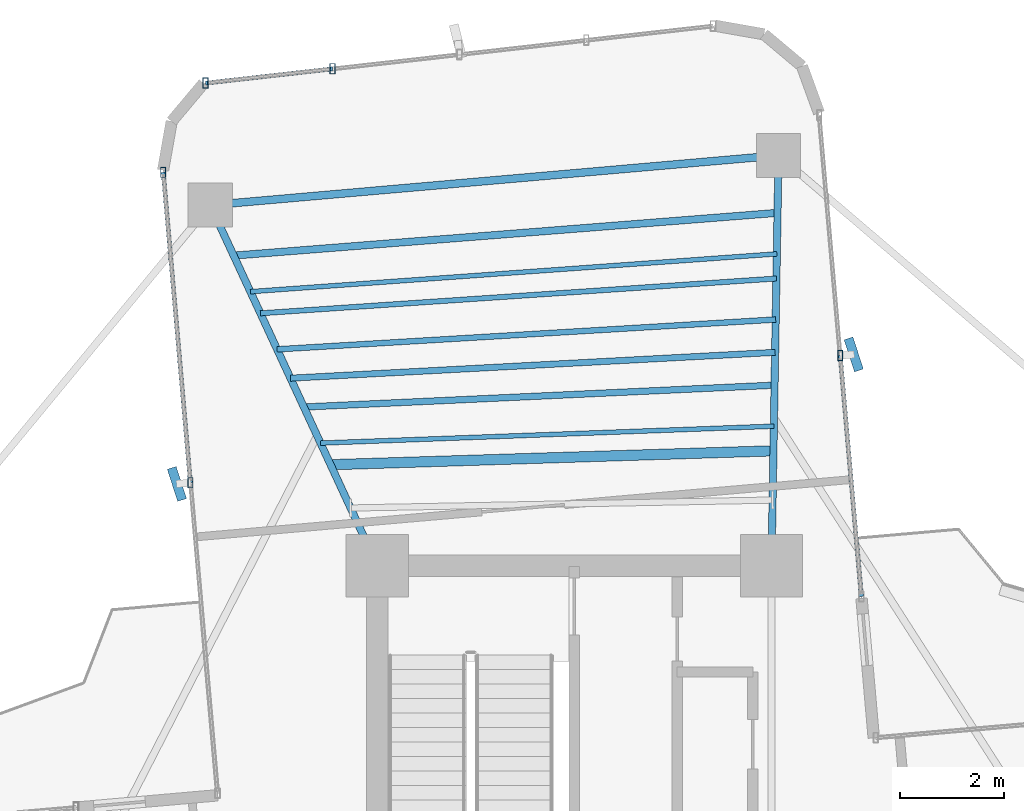
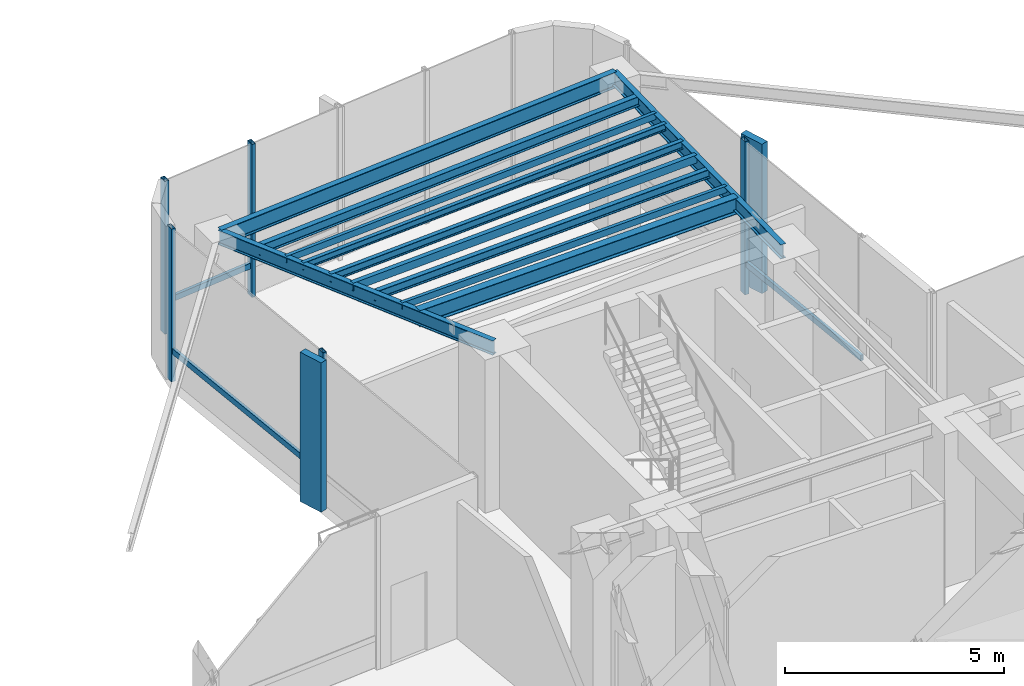
# One storey, part 10 of 19: 11 beams, 10 members, 3 elements without a shape of their own.
"""IFC4 building model written with IfcOpenShell, lengths in metres."""

from ifc_helpers import new_model, si_unit, direction, frame, origin, origin_2d, place, context, subcontext, project, spatial, rectangle, hollow_rectangle, i_section, extrude, source, transform, mapped, material, material_profile, profile_set, type_object, element, aggregate, save


model = new_model("IFC4")

# Units and contexts
model_context = context("Model", 3, precision=1e-05, world=origin(), true_north=direction((0.0, 1.0)))
body_context = subcontext(model_context, "Body", "Model", "MODEL_VIEW")
ifc_project = project(units=[si_unit("LENGTHUNIT", "METRE"), si_unit("AREAUNIT", "SQUARE_METRE"), si_unit("VOLUMEUNIT", "CUBIC_METRE"), si_unit("PLANEANGLEUNIT", "RADIAN"), si_unit("MASSUNIT", "GRAM", prefix="KILO")], contexts=[model_context])

# Site, building, storey
site_placement = place(None, origin())
site = spatial("IfcSite", under=ifc_project, at=site_placement, CompositionType="ELEMENT")
building_placement = place(site_placement, origin())
building = spatial("IfcBuilding", under=site, at=building_placement, Name="Sahyath Konkavel Grand Hotel", CompositionType="ELEMENT")
storey_placement = place(building_placement, frame((0.0, 0.0, 170.699951171875)))
storey = spatial("IfcBuildingStorey", under=building, at=storey_placement, Name="L47", CompositionType="ELEMENT", Elevation=170.699951171875)

# Beams
ifc_material_1 = material(Name="Steel E350", Category="steel")
ifc_material_profile_1 = material_profile(ifc_material_1, i_section(OverallWidth=0.139892578125, OverallDepth=0.39990234375, WebThickness=0.0087890625, FlangeThickness=0.01611328125, FilletRadius=0.013916015625, at=origin_2d()), Name="ISMB 400")
ifc_profile_set_1 = profile_set([ifc_material_profile_1], Name="Steel E350")
beam_type_1 = type_object("IfcBeamType", Name="BM-ISMB400", PredefinedType="BEAM", material=ifc_profile_set_1)
shared_shape_1 = source(origin(), body_context, "Body", "SweptSolid", [
    extrude(i_section(OverallWidth=0.139892578125, OverallDepth=0.39990234375, WebThickness=0.0087890625, FlangeThickness=0.01611328125, FilletRadius=0.013916015625, at=origin_2d()), origin(), (0.0, 0.0, 1.0), 7.913330078125),
])
beam_1_placement = place(storey_placement, frame((3.800048828125, 10.199951171875, 4.06005859375), z_axis=(0.017215419232, 0.999851803689, 0.0), x_axis=(-0.999851803689, 0.017215419232, 0.0)))
element("IfcBeam", 1, at=beam_1_placement, inside=storey, type_object=beam_type_1, Name="L47 Cruciform Radial Girder NA", PredefinedType="BEAM", context=body_context, shape_type="MappedRepresentation", body=[
    mapped(shared_shape_1, transform((0.0, 0.0, 0.0), scale=1.0)),
])
shared_shape_2 = source(origin(), body_context, "Body", "SweptSolid", [
    extrude(i_section(OverallWidth=0.139892578125, OverallDepth=0.39990234375, WebThickness=0.0087890625, FlangeThickness=0.01611328125, FilletRadius=0.013916015625, at=origin_2d()), origin(), (0.0, 0.0, 1.0), 7.66357421875),
])
beam_2_placement = place(storey_placement, frame((-3.800048828125, 10.199951171875, 4.06005859375), z_axis=(-0.420395127561, 0.907341135804, 0.0), x_axis=(-0.907341135804, -0.420395127561, 0.0)))
element("IfcBeam", 2, at=beam_2_placement, inside=storey, type_object=beam_type_1, Name="L47 Cruciform Radial Girder NB", PredefinedType="BEAM", context=body_context, shape_type="MappedRepresentation", body=[
    mapped(shared_shape_2, transform((0.0, 0.0, 0.0), scale=1.0)),
])
ifc_material_profile_2 = material_profile(ifc_material_1, i_section(OverallWidth=0.14990234375, OverallDepth=0.449951171875, WebThickness=0.009521484375, FlangeThickness=0.017333984375, FilletRadius=0.014892578125, at=origin_2d()), Name="ISMB 450")
ifc_profile_set_2 = profile_set([ifc_material_profile_2], Name="Steel E350")
beam_type_2 = type_object("IfcBeamType", Name="BM-ISMB450", PredefinedType="BEAM", material=ifc_profile_set_2)
shared_shape_3 = source(origin(), body_context, "Body", "SweptSolid", [
    extrude(i_section(OverallWidth=0.14990234375, OverallDepth=0.449951171875, WebThickness=0.009521484375, FlangeThickness=0.017333984375, FilletRadius=0.014892578125, at=origin_2d()), origin(), (0.0, 0.0, 1.0), 10.999755859375),
])
beam_3_placement = place(storey_placement, frame((3.936279296875, 18.112060546875, 4.03515625), z_axis=(-0.99619439202, -0.087159241098, 0.0), x_axis=(0.087159241098, -0.99619439202, 0.0)))
element("IfcBeam", 3, at=beam_3_placement, inside=storey, type_object=beam_type_2, Name="L47 Wing Tip Edge Beam N", PredefinedType="BEAM", context=body_context, shape_type="MappedRepresentation", body=[
    mapped(shared_shape_3, transform((0.0, 0.0, 0.0), scale=1.0)),
])
ifc_material_profile_3 = material_profile(ifc_material_1, i_section(OverallWidth=0.199951171875, OverallDepth=0.449951171875, WebThickness=0.00927734375, FlangeThickness=0.015380859375, FilletRadius=0.01611328125, at=origin_2d()), Name="ISWB 450")
ifc_profile_set_3 = profile_set([ifc_material_profile_3], Name="Steel E350")
beam_type_3 = type_object("IfcBeamType", Name="BM-ISWB450", PredefinedType="BEAM", material=ifc_profile_set_3)
shared_shape_4 = source(origin(), body_context, "Body", "SweptSolid", [
    extrude(i_section(OverallWidth=0.199951171875, OverallDepth=0.449951171875, WebThickness=0.00927734375, FlangeThickness=0.015380859375, FilletRadius=0.01611328125, at=origin_2d()), origin(), (0.0, 0.0, 1.0), 8.54443359375),
])
beam_4_placement = place(storey_placement, frame((3.838134765625, 12.415283203125, 4.03515625), z_axis=(-0.999506849365, -0.031401561632, 0.0), x_axis=(0.031401561632, -0.999506849365, 0.0)))
element("IfcBeam", 4, at=beam_4_placement, inside=storey, type_object=beam_type_3, Name="L47 Secondary Floor Beam N-1", PredefinedType="BEAM", context=body_context, shape_type="MappedRepresentation", body=[
    mapped(shared_shape_4, transform((0.0, 0.0, 0.0), scale=1.0)),
])
ifc_material_profile_4 = material_profile(ifc_material_1, hollow_rectangle(XDim=0.1201171875, YDim=0.219970703125, WallThickness=0.010009765625, at=origin_2d()), Name="RHS 220x120x10")
ifc_profile_set_4 = profile_set([ifc_material_profile_4], Name="Steel E350")
beam_type_4 = type_object("IfcBeamType", Name="BM-RHS220", PredefinedType="BEAM", material=ifc_profile_set_4)
shared_shape_5 = source(origin(), body_context, "Body", "SweptSolid", [
    extrude(hollow_rectangle(XDim=0.1201171875, YDim=0.219970703125, WallThickness=0.010009765625, at=origin_2d()), origin(), (0.0, 0.0, 1.0), 9.359375),
])
beam_5_placement = place(storey_placement, frame((3.870849609375, 14.314208984375, 4.150146484375), z_axis=(-0.998580397723, -0.053265272769, 0.0), x_axis=(0.053265272769, -0.998580397723, 0.0)))
element("IfcBeam", 5, at=beam_5_placement, inside=storey, type_object=beam_type_4, Name="L47 Secondary Floor Beam N-2", PredefinedType="BEAM", context=body_context, shape_type="MappedRepresentation", body=[
    mapped(shared_shape_5, transform((0.0, 0.0, 0.0), scale=1.0)),
])
ifc_material_profile_5 = material_profile(ifc_material_1, hollow_rectangle(XDim=0.090087890625, YDim=0.179931640625, WallThickness=0.008056640625, at=origin_2d()), Name="RHS 180x90x8")
ifc_profile_set_5 = profile_set([ifc_material_profile_5], Name="Steel E350")
beam_type_5 = type_object("IfcBeamType", Name="BM-RHS180", PredefinedType="BEAM", material=ifc_profile_set_5)
shared_shape_6 = source(origin(), body_context, "Body", "SweptSolid", [
    extrude(hollow_rectangle(XDim=0.090087890625, YDim=0.179931640625, WallThickness=0.008056640625, at=origin_2d()), origin(), (0.0, 0.0, 1.0), 10.178466796875),
])
beam_6_placement = place(storey_placement, frame((3.90380859375, 16.213134765625, 4.170166015625), z_axis=(-0.997435268886, -0.071574327683, 0.0), x_axis=(0.071574327683, -0.997435268886, 0.0)))
element("IfcBeam", 6, at=beam_6_placement, inside=storey, type_object=beam_type_5, Name="L47 Secondary Floor Beam N-3", PredefinedType="BEAM", context=body_context, shape_type="MappedRepresentation", body=[
    mapped(shared_shape_6, transform((0.0, 0.0, 0.0), scale=1.0)),
])
shared_shape_7 = source(origin(), body_context, "Body", "SweptSolid", [
    extrude(hollow_rectangle(XDim=0.090087890625, YDim=0.179931640625, WallThickness=0.008056640625, at=origin_2d()), origin(), (0.0, 0.0, 1.0), 8.748046875),
])
beam_7_placement = place(storey_placement, frame((3.846435546875, 12.89013671875, 4.170166015625), z_axis=(-0.999305704761, -0.037257327223, 0.0), x_axis=(0.037257327223, -0.999305704761, 0.0)))
element("IfcBeam", 7, at=beam_7_placement, inside=storey, type_object=beam_type_5, Name="L47 Composite Deck Sub-Beam N-2", PredefinedType="BEAM", context=body_context, shape_type="MappedRepresentation", body=[
    mapped(shared_shape_7, transform((0.0, 0.0, 0.0), scale=1.0)),
])
ifc_material_profile_6 = material_profile(ifc_material_1, i_section(OverallWidth=0.125, OverallDepth=0.25, WebThickness=0.0068359375, FlangeThickness=0.012451171875, FilletRadius=0.012939453125, at=origin_2d()), Name="ISMB 250")
ifc_profile_set_6 = profile_set([ifc_material_profile_6], Name="Steel E350")
beam_type_6 = type_object("IfcBeamType", Name="BM-ISMB250", PredefinedType="BEAM", material=ifc_profile_set_6)
shared_shape_8 = source(origin(), body_context, "Body", "SweptSolid", [
    extrude(i_section(OverallWidth=0.125, OverallDepth=0.25, WebThickness=0.0068359375, FlangeThickness=0.012451171875, FilletRadius=0.012939453125, at=origin_2d()), origin(), (0.0, 0.0, 1.0), 9.08740234375),
])
beam_8_placement = place(storey_placement, frame((3.860107421875, 13.681396484375, 4.135009765625), z_axis=(-0.998921825199, -0.046423993167, 0.0), x_axis=(0.046423993167, -0.998921825199, 0.0)))
element("IfcBeam", 8, at=beam_8_placement, inside=storey, type_object=beam_type_6, Name="L47 Composite Deck Sub-Beam N-3", PredefinedType="BEAM", context=body_context, shape_type="MappedRepresentation", body=[
    mapped(shared_shape_8, transform((0.0, 0.0, 0.0), scale=1.0)),
])
ifc_material_profile_7 = material_profile(ifc_material_1, i_section(OverallWidth=0.110107421875, OverallDepth=0.22509765625, WebThickness=0.006591796875, FlangeThickness=0.01171875, FilletRadius=0.011962890625, at=origin_2d()), Name="ISMB 225")
ifc_profile_set_7 = profile_set([ifc_material_profile_7], Name="Steel E350")
beam_type_7 = type_object("IfcBeamType", Name="BM-ISMB225", PredefinedType="BEAM", material=ifc_profile_set_7)
shared_shape_9 = source(origin(), body_context, "Body", "SweptSolid", [
    extrude(i_section(OverallWidth=0.110107421875, OverallDepth=0.22509765625, WebThickness=0.006591796875, FlangeThickness=0.01171875, FilletRadius=0.011962890625, at=origin_2d()), origin(), (0.0, 0.0, 1.0), 9.6318359375),
])
beam_9_placement = place(storey_placement, frame((3.8818359375, 14.947265625, 4.1474609375), z_axis=(-0.998215316487, -0.059717517791, 0.0), x_axis=(0.059717517791, -0.998215316487, 0.0)))
element("IfcBeam", 9, at=beam_9_placement, inside=storey, type_object=beam_type_7, Name="L47 Composite Deck Sub-Beam N-4", PredefinedType="BEAM", context=body_context, shape_type="MappedRepresentation", body=[
    mapped(shared_shape_9, transform((0.0, 0.0, 0.0), scale=1.0)),
])
ifc_material_profile_8 = material_profile(ifc_material_1, i_section(OverallWidth=0.10009765625, OverallDepth=0.199951171875, WebThickness=0.005615234375, FlangeThickness=0.0107421875, FilletRadius=0.010986328125, at=origin_2d()), Name="ISMB 200")
ifc_profile_set_8 = profile_set([ifc_material_profile_8], Name="Steel E350")
beam_type_8 = type_object("IfcBeamType", Name="BM-ISMB200", PredefinedType="BEAM", material=ifc_profile_set_8)
shared_shape_10 = source(origin(), body_context, "Body", "SweptSolid", [
    extrude(i_section(OverallWidth=0.10009765625, OverallDepth=0.199951171875, WebThickness=0.005615234375, FlangeThickness=0.0107421875, FilletRadius=0.010986328125, at=origin_2d()), origin(), (0.0, 0.0, 1.0), 9.973388671875),
])
beam_10_placement = place(storey_placement, frame((3.8955078125, 15.73828125, 4.16015625), z_axis=(-0.997734833375, -0.067269623684, 0.0), x_axis=(0.067269623684, -0.997734833375, 0.0)))
element("IfcBeam", 10, at=beam_10_placement, inside=storey, type_object=beam_type_8, Name="L47 Composite Deck Sub-Beam N-5", PredefinedType="BEAM", context=body_context, shape_type="MappedRepresentation", body=[
    mapped(shared_shape_10, transform((0.0, 0.0, 0.0), scale=1.0)),
])
ifc_material_profile_9 = material_profile(ifc_material_1, i_section(OverallWidth=0.139892578125, OverallDepth=0.27490234375, WebThickness=0.00634765625, FlangeThickness=0.0087890625, FilletRadius=0.012939453125, at=origin_2d()), Name="ISLB 275")
ifc_profile_set_9 = profile_set([ifc_material_profile_9], Name="Steel E350")
beam_type_9 = type_object("IfcBeamType", Name="BM-ISLB275", PredefinedType="BEAM", material=ifc_profile_set_9)
shared_shape_11 = source(origin(), body_context, "Body", "SweptSolid", [
    extrude(i_section(OverallWidth=0.139892578125, OverallDepth=0.27490234375, WebThickness=0.00634765625, FlangeThickness=0.0087890625, FilletRadius=0.012939453125, at=origin_2d()), origin(), (0.0, 0.0, 1.0), 10.5205078125),
])
beam_11_placement = place(storey_placement, frame((3.917236328125, 17.00439453125, 4.12255859375), z_axis=(-0.996922679946, -0.078391136033, 0.0), x_axis=(0.078391136033, -0.996922679946, 0.0)))
element("IfcBeam", 11, at=beam_11_placement, inside=storey, type_object=beam_type_9, Name="L47 Composite Deck Sub-Beam N-6", PredefinedType="BEAM", context=body_context, shape_type="MappedRepresentation", body=[
    mapped(shared_shape_11, transform((0.0, 0.0, 0.0), scale=1.0)),
])

# Curtain wall, member
ifc_material_2 = material(Name="Anodised Bronze Aluminium & Low-E Glazing", Category="aluminium")
curtain_wall_type = type_object("IfcCurtainWallType", Name="CW-SKYLOBBY", PredefinedType="NOTDEFINED", material=ifc_material_2)
curtain_wall_1_placement = place(storey_placement, origin())
curtain_wall_1 = element("IfcCurtainWall", 12, at=curtain_wall_1_placement, inside=storey, type_object=curtain_wall_type, Name="L47 Unitised Curtain Wall F8", PredefinedType="NOTDEFINED")
ifc_material_3 = material(Name="Anodised Bronze Aluminium", Category="aluminium")
ifc_material_profile_10 = material_profile(ifc_material_3, hollow_rectangle(XDim=0.10009765625, YDim=0.199951171875, WallThickness=0.008056640625, at=origin_2d()), Name="RHS 200x100x8")
ifc_profile_set_10 = profile_set([ifc_material_profile_10], Name="Anodised Bronze Aluminium")
member_type_1 = type_object("IfcMemberType", Name="CW-MUL-200", PredefinedType="MULLION", material=ifc_profile_set_10)
shared_shape_12 = source(origin(), body_context, "Body", "SweptSolid", [
    extrude(hollow_rectangle(XDim=0.10009765625, YDim=0.199951171875, WallThickness=0.008056640625, at=origin_2d()), origin(), (0.0, 0.0, 1.0), 4.260009765625),
])
member_1_placement = place(storey_placement, frame((5.12744140625, 14.251220703125, 0.0), z_axis=(0.0, 0.0, 1.0), x_axis=(1.0, 0.0, 0.0)))
member_1 = element("IfcMember", 13, at=member_1_placement, type_object=member_type_1, Name="L47 Curtain Wall Mullion F8-1", PredefinedType="MULLION", context=body_context, shape_type="MappedRepresentation", body=[
    mapped(shared_shape_12, transform((0.0, 0.0, 0.0), scale=1.0)),
])

# Curtain wall, members
curtain_wall_2_placement = place(storey_placement, origin())
curtain_wall_2 = element("IfcCurtainWall", 14, at=curtain_wall_2_placement, inside=storey, type_object=curtain_wall_type, Name="L47 Unitised Curtain Wall F12", PredefinedType="NOTDEFINED")
member_2_placement = place(storey_placement, frame((-4.665771484375, 19.783203125, 0.0), z_axis=(0.0, 0.0, 1.0), x_axis=(1.0, 0.0, 0.0)))
member_2 = element("IfcMember", 15, at=member_2_placement, type_object=member_type_1, Name="L47 Curtain Wall Mullion F12-3", PredefinedType="MULLION", context=body_context, shape_type="MappedRepresentation", body=[
    mapped(shared_shape_12, transform((0.0, 0.0, 0.0), scale=1.0)),
])
member_3_placement = place(storey_placement, frame((-7.1123046875, 19.507568359375, 0.0), z_axis=(0.0, 0.0, 1.0), x_axis=(1.0, 0.0, 0.0)))
member_3 = element("IfcMember", 16, at=member_3_placement, type_object=member_type_1, Name="L47 Curtain Wall Mullion F12-4", PredefinedType="MULLION", context=body_context, shape_type="MappedRepresentation", body=[
    mapped(shared_shape_12, transform((0.0, 0.0, 0.0), scale=1.0)),
])

curtain_wall_3_placement = place(storey_placement, origin())
curtain_wall_3 = element("IfcCurtainWall", 17, at=curtain_wall_3_placement, inside=storey, type_object=curtain_wall_type, Name="L47 Unitised Curtain Wall F15", PredefinedType="NOTDEFINED")
member_4_placement = place(storey_placement, frame((-7.930419921875, 17.78662109375, 0.0), z_axis=(0.0, 0.0, 1.0), x_axis=(1.0, 0.0, 0.0)))
member_4 = element("IfcMember", 18, at=member_4_placement, type_object=member_type_1, Name="L47 Curtain Wall Mullion F15-0", PredefinedType="MULLION", context=body_context, shape_type="MappedRepresentation", body=[
    mapped(shared_shape_12, transform((0.0, 0.0, 0.0), scale=1.0)),
])
member_5_placement = place(storey_placement, frame((-7.406494140625, 11.79931640625, 0.0), z_axis=(0.0, 0.0, 1.0), x_axis=(1.0, 0.0, 0.0)))
member_5 = element("IfcMember", 19, at=member_5_placement, type_object=member_type_1, Name="L47 Curtain Wall Mullion F15-1", PredefinedType="MULLION", context=body_context, shape_type="MappedRepresentation", body=[
    mapped(shared_shape_12, transform((0.0, 0.0, 0.0), scale=1.0)),
])

# Member
ifc_material_4 = material(Name="Warm Buff Sandstone Cladding on Concrete C50/60", Category="masonry")
ifc_material_profile_11 = material_profile(ifc_material_4, rectangle(XDim=0.179931640625, YDim=0.64990234375, at=origin_2d()), Name="FIN 180x650")
ifc_profile_set_11 = profile_set([ifc_material_profile_11], Name="Warm Buff Sandstone Cladding on Concrete C50/60")
member_type_2 = type_object("IfcMemberType", Name="FIN-SANDSTONE-650", PredefinedType="MULLION", material=ifc_profile_set_11)
shared_shape_13 = source(origin(), body_context, "Body", "SweptSolid", [
    extrude(rectangle(XDim=0.179931640625, YDim=0.64990234375, at=origin_2d()), origin(), (0.0, 0.0, 1.0), 4.159912109375),
])
member_6_placement = place(storey_placement, frame((5.386474609375, 14.273681640625, 0.050048828125), z_axis=(0.0, 0.0, 1.0), x_axis=(0.951808747363, 0.306692204733, 0.0)))
member_6 = element("IfcMember", 20, at=member_6_placement, type_object=member_type_2, Name="L47 Sandstone Vertical Solar Fin FIN F8-1", PredefinedType="MULLION", context=body_context, shape_type="MappedRepresentation", body=[
    mapped(shared_shape_13, transform((0.0, 0.0, 0.0), scale=1.0)),
])

member_7_placement = place(storey_placement, frame((-7.66552734375, 11.776611328125, 0.050048828125), z_axis=(0.0, 0.0, 1.0), x_axis=(0.951808747363, 0.306692204733, 0.0)))
member_7 = element("IfcMember", 21, at=member_7_placement, type_object=member_type_2, Name="L47 Sandstone Vertical Solar Fin FIN F15-1", PredefinedType="MULLION", context=body_context, shape_type="MappedRepresentation", body=[
    mapped(shared_shape_13, transform((0.0, 0.0, 0.0), scale=1.0)),
])

ifc_material_profile_12 = material_profile(ifc_material_3, hollow_rectangle(XDim=0.080078125, YDim=0.159912109375, WallThickness=0.006103515625, at=origin_2d()), Name="RHS 160x80x6")
ifc_profile_set_12 = profile_set([ifc_material_profile_12], Name="Anodised Bronze Aluminium")
member_type_3 = type_object("IfcMemberType", Name="CW-TRN-160", PredefinedType="USERDEFINED", material=ifc_profile_set_12)
shared_shape_14 = source(origin(), body_context, "Body", "SweptSolid", [
    extrude(hollow_rectangle(XDim=0.080078125, YDim=0.159912109375, WallThickness=0.006103515625, at=origin_2d()), origin(), (0.0, 0.0, 1.0), 4.66015625),
])
member_8_placement = place(storey_placement, frame((5.53369140625, 9.60888671875, 0.85009765625), z_axis=(-0.087176698736, 0.996192864458, 0.0), x_axis=(-0.996192864458, -0.087176698736, 0.0)))
member_8 = element("IfcMember", 22, at=member_8_placement, type_object=member_type_3, Name="L47 Curtain Wall Transom F8-0-spandrel", ObjectType="TRANSOM", PredefinedType="USERDEFINED", context=body_context, shape_type="MappedRepresentation", body=[
    mapped(shared_shape_14, transform((0.0, 0.0, 0.0), scale=1.0)),
])

aggregate(curtain_wall_1, [member_1, member_6, member_8])

shared_shape_15 = source(origin(), body_context, "Body", "SweptSolid", [
    extrude(hollow_rectangle(XDim=0.080078125, YDim=0.159912109375, WallThickness=0.006103515625, at=origin_2d()), origin(), (0.0, 0.0, 1.0), 2.4619140625),
])
member_9_placement = place(storey_placement, frame((-4.665771484375, 19.783203125, 0.85009765625), z_axis=(-0.993713263833, -0.111955121731, 0.0), x_axis=(0.111955121731, -0.993713263833, 0.0)))
member_9 = element("IfcMember", 23, at=member_9_placement, type_object=member_type_3, Name="L47 Curtain Wall Transom F12-3-spandrel", ObjectType="TRANSOM", PredefinedType="USERDEFINED", context=body_context, shape_type="MappedRepresentation", body=[
    mapped(shared_shape_15, transform((0.0, 0.0, 0.0), scale=1.0)),
])

aggregate(curtain_wall_2, [member_2, member_3, member_9])

shared_shape_16 = source(origin(), body_context, "Body", "SweptSolid", [
    extrude(hollow_rectangle(XDim=0.080078125, YDim=0.159912109375, WallThickness=0.006103515625, at=origin_2d()), origin(), (0.0, 0.0, 1.0), 6.01025390625),
])
member_10_placement = place(storey_placement, frame((-7.930419921875, 17.78662109375, 0.85009765625), z_axis=(0.087172997156, -0.996193188376, 0.0), x_axis=(0.996193188376, 0.087172997156, 0.0)))
member_10 = element("IfcMember", 24, at=member_10_placement, type_object=member_type_3, Name="L47 Curtain Wall Transom F15-0-spandrel", ObjectType="TRANSOM", PredefinedType="USERDEFINED", context=body_context, shape_type="MappedRepresentation", body=[
    mapped(shared_shape_16, transform((0.0, 0.0, 0.0), scale=1.0)),
])

aggregate(curtain_wall_3, [member_4, member_5, member_7, member_10])

save(model, "model.ifc")
